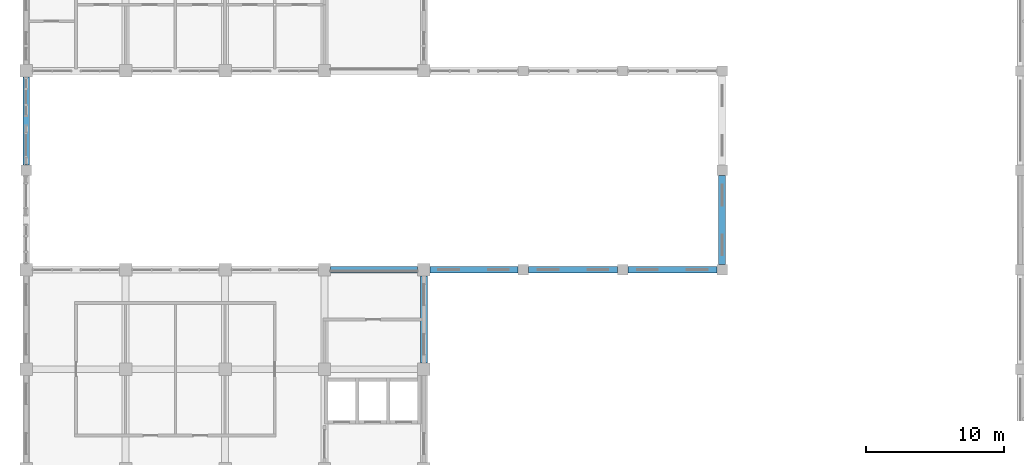
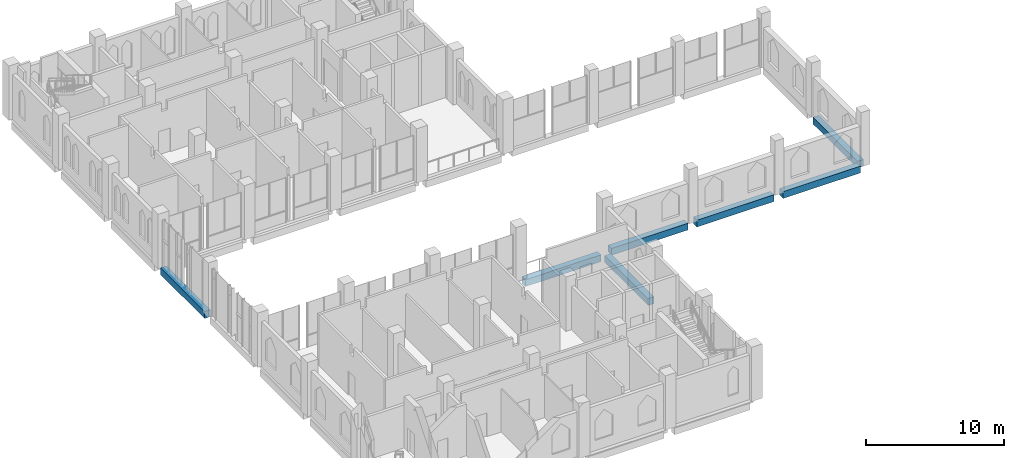
# One storey, part 6 of 39: 7 beams.
"""IFC4 building model written with IfcOpenShell, lengths in metres."""

import ifcopenshell
import ifcopenshell.guid

model = None  # the IFC model being written
_history = None  # IfcOwnerHistory: only IFC2X3 demands one
_inside = {}  # id of a spatial element -> (the spatial element, [elements in it])
_under = {}  # id of a project, library or spatial element -> (it, [spatial elements below it])
_declared = {}  # id of a project -> (the project, [libraries it declares])
_typed = {}  # id of a type object -> (the type object, [elements of that type])
_made_of = {}  # id of a material, layer set ... -> (it, [elements and type objects made of it])


def new_model(schema):
    """Start an empty IFC model of exactly this schema.

    Asked for "IFC4X3", IfcOpenShell would pick the latest addendum, in which some entities
    have other attributes; the version numbers below select the first issue.
    IFC2X3 requires an IfcOwnerHistory on every rooted entity: one is made here for all.
    """
    global model, _history
    if schema == "IFC4X3":
        model = ifcopenshell.file(schema_version=(4, 3, 0, 0))
    else:
        model = ifcopenshell.file(schema=schema)
    _inside.clear()
    _under.clear()
    _declared.clear()
    _typed.clear()
    _made_of.clear()
    _history = None
    if model.schema == "IFC2X3":
        org = make("IfcOrganization", Name="unknown")
        user = make(
            "IfcPersonAndOrganization",
            ThePerson=make("IfcPerson", FamilyName="unknown"),
            TheOrganization=org,
        )
        app = make(
            "IfcApplication",
            ApplicationDeveloper=org,
            Version="unknown",
            ApplicationFullName="unknown",
            ApplicationIdentifier="unknown",
        )
        _history = make(
            "IfcOwnerHistory",
            OwningUser=user,
            OwningApplication=app,
            ChangeAction="ADDED",
            CreationDate=0,
        )
    return model


def make(cls, **values):
    """One entity of the class cls with the attributes given. An attribute that is None is left unset."""
    return model.create_entity(
        cls, **{name: value for name, value in values.items() if value is not None}
    )


def rooted(cls, **values):
    """An entity with a GlobalId (a new one), such as an element, a storey or a relation."""
    return make(cls, GlobalId=ifcopenshell.guid.new(), OwnerHistory=_history, **values)


def si_unit(unit_type, name, prefix=None):
    """IfcSIUnit, for example si_unit("LENGTHUNIT", "METRE", prefix="MILLI")."""
    return make("IfcSIUnit", UnitType=unit_type, Prefix=prefix, Name=name)


def assignment(units):
    """IfcUnitAssignment: the units of a project."""
    return None if units is None else make("IfcUnitAssignment", Units=units)


def point(xyz):
    """IfcCartesianPoint."""
    return None if xyz is None else make("IfcCartesianPoint", Coordinates=xyz)


def direction(xyz):
    """IfcDirection."""
    return None if xyz is None else make("IfcDirection", DirectionRatios=xyz)


def frame(location, z_axis=None, x_axis=None):
    """IfcAxis2Placement3D, a coordinate frame: its origin and axes. An axis left out is left unset."""
    return make(
        "IfcAxis2Placement3D",
        Location=point(location),
        Axis=direction(z_axis),
        RefDirection=direction(x_axis),
    )


def frame_2d(location, x_axis=None):
    """IfcAxis2Placement2D, a coordinate frame in the plane: its origin and x axis."""
    return make(
        "IfcAxis2Placement2D", Location=point(location), RefDirection=direction(x_axis)
    )


def origin():
    """The frame at (0, 0, 0) with its axes left unset."""
    return frame((0.0, 0.0, 0.0))


def origin_2d():
    """The frame at (0, 0) in the plane with its x axis left unset."""
    return frame_2d((0.0, 0.0))


def place(relative_to, where):
    """IfcLocalPlacement: puts the frame where relative to a parent placement (None: the world)."""
    return make(
        "IfcLocalPlacement", PlacementRelTo=relative_to, RelativePlacement=where
    )


def context(
    kind, dimensions, precision=None, world=None, true_north=None, identifier=None
):
    """IfcGeometricRepresentationContext, for example the 3D "Model" context."""
    return make(
        "IfcGeometricRepresentationContext",
        ContextIdentifier=identifier,
        ContextType=kind,
        CoordinateSpaceDimension=dimensions,
        Precision=precision,
        WorldCoordinateSystem=world,
        TrueNorth=true_north,
    )


def subcontext(parent, identifier, kind, view, scale=None):
    """IfcGeometricRepresentationSubContext, for example "Body" below "Model"."""
    return make(
        "IfcGeometricRepresentationSubContext",
        ContextIdentifier=identifier,
        ContextType=kind,
        ParentContext=parent,
        TargetScale=scale,
        TargetView=view,
    )


def project(units=None, contexts=None):
    """IfcProject with its units and contexts."""
    return rooted(
        "IfcProject",
        Name="project",
        RepresentationContexts=contexts,
        UnitsInContext=assignment(units),
    )


def spatial(cls, under=None, at=None, **own):
    """A site, building, storey or space (cls), placed at a placement, below another one or the project."""
    s = rooted(cls, ObjectPlacement=at, **own)
    if under is not None:
        _under.setdefault(under.id(), (under, []))[1].append(s)
    return s


def profile(cls, at=None, kind="AREA", **sizes):
    """A parametric profile (cls). Its sizes go by their IFC names, for example OverallWidth=200.0."""
    return make(cls, ProfileType=kind, Position=at, **sizes)


def rectangle(**sizes):
    """IfcRectangleProfileDef."""
    return profile("IfcRectangleProfileDef", **sizes)


def extrude(swept, where, along, depth):
    """IfcExtrudedAreaSolid: the profile swept, set in the frame where, extruded along a direction by depth."""
    return make(
        "IfcExtrudedAreaSolid",
        SweptArea=swept,
        Position=where,
        ExtrudedDirection=direction(along),
        Depth=depth,
    )


def shape(context_of_items, identifier, shape_type, items):
    """IfcShapeRepresentation: the items that make up one representation, for example the "Body"."""
    return make(
        "IfcShapeRepresentation",
        ContextOfItems=context_of_items,
        RepresentationIdentifier=identifier,
        RepresentationType=shape_type,
        Items=items,
    )


def material(Name=None, Category=None):
    """IfcMaterial."""
    return make("IfcMaterial", Name=Name, Category=Category)


def material_profile(
    of_material, cross_section, Name=None, Category=None, Priority=None
):
    """IfcMaterialProfile: a cross section and its material."""
    return make(
        "IfcMaterialProfile",
        Name=Name,
        Material=of_material,
        Profile=cross_section,
        Priority=Priority,
        Category=Category,
    )


def profile_set(profiles, Name=None, composite=None):
    """IfcMaterialProfileSet."""
    return make(
        "IfcMaterialProfileSet",
        Name=Name,
        MaterialProfiles=profiles,
        CompositeProfile=composite,
    )


def made_of(thing, what):
    """Note that an element or type object is made of a material, layer set ...; save() writes the relation."""
    if what is not None:
        _made_of.setdefault(what.id(), (what, []))[1].append(thing)
    return thing


def type_object(cls, material=None, **own):
    """A type object (cls), such as IfcWallType, which elements share."""
    return made_of(rooted(cls, **own), material)


def element(
    cls,
    number,
    at=None,
    inside=None,
    cuts=None,
    type_object=None,
    material=None,
    context=None,
    identifier="Body",
    shape_type=None,
    held_by="IfcProductDefinitionShape",
    body=None,
    shapes=None,
    **own,
):
    """One element of the class cls, such as IfcWall. Its Tag is "e" and its number.

    at: its placement. inside: the storey or other place that contains it. cuts: it is an
    opening in that element (IfcRelVoidsElement). A single representation is given by context,
    identifier, shape_type and body (its items); several are given by shapes. held_by: the class
    of the entity that holds the representations. save() writes the other relations.
    """
    e = rooted(cls, Tag="e%d" % number, ObjectPlacement=at, **own)
    if body is not None:
        shapes = [shape(context, identifier, shape_type, body)]
    if shapes is not None:
        e.Representation = make(held_by, Representations=shapes)
    if inside is not None:
        _inside.setdefault(inside.id(), (inside, []))[1].append(e)
    if cuts is not None:
        rooted(
            "IfcRelVoidsElement", RelatingBuildingElement=cuts, RelatedOpeningElement=e
        )
    if type_object is not None:
        _typed.setdefault(type_object.id(), (type_object, []))[1].append(e)
    return made_of(e, material)


def aggregate(whole, parts):
    """IfcRelAggregates: a whole, such as a stair, and the parts it consists of."""
    return rooted("IfcRelAggregates", RelatingObject=whole, RelatedObjects=parts)


def save(model, path):
    """Write the relations noted so far, then the file.

    IfcRelAggregates (storeys below a building ...), IfcRelContainedInSpatialStructure (elements
    in a storey), IfcRelDefinesByType, IfcRelAssociatesMaterial and IfcRelDeclares: one each for
    every whole, place, type object, material and project.
    """
    for whole, parts in _under.values():
        aggregate(whole, parts)
    for where, things in _inside.values():
        rooted(
            "IfcRelContainedInSpatialStructure",
            RelatedElements=things,
            RelatingStructure=where,
        )
    for kind, things in _typed.values():
        rooted("IfcRelDefinesByType", RelatedObjects=things, RelatingType=kind)
    for what, things in _made_of.values():
        rooted("IfcRelAssociatesMaterial", RelatedObjects=things, RelatingMaterial=what)
    for by, libraries in _declared.values():
        rooted("IfcRelDeclares", RelatingContext=by, RelatedDefinitions=libraries)
    model.write(path)


model = new_model("IFC4")

# Units and contexts
model_context = context("Model", 3, precision=1e-05, world=origin(), true_north=direction((0.0, 1.0)))
body_context = subcontext(model_context, "Body", "Model", "MODEL_VIEW")
ifc_project = project(units=[si_unit("LENGTHUNIT", "METRE"), si_unit("AREAUNIT", "SQUARE_METRE"), si_unit("VOLUMEUNIT", "CUBIC_METRE"), si_unit("PLANEANGLEUNIT", "RADIAN"), si_unit("MASSUNIT", "GRAM", prefix="KILO")], contexts=[model_context])

# Site, building, storey
site_placement = place(None, origin())
site = spatial("IfcSite", under=ifc_project, at=site_placement, CompositionType="ELEMENT")
building_placement = place(site_placement, origin())
building = spatial("IfcBuilding", under=site, at=building_placement, Name="Silangan Lancet Faculty of Sciences", CompositionType="ELEMENT")
storey_placement = place(building_placement, frame((0.0, 0.0, 26.39990234375)))
storey = spatial("IfcBuildingStorey", under=building, at=storey_placement, Name="L05", CompositionType="ELEMENT", Elevation=26.39990234375)

# Beams
ifc_material = material(Name="Concrete C40/50", Category="concrete")
ifc_material_profile = material_profile(ifc_material, rectangle(XDim=0.5, YDim=0.60009765625, at=origin_2d()), Name="RC 500x600")
ifc_profile_set = profile_set([ifc_material_profile], Name="Concrete C40/50")
beam_type = type_object("IfcBeamType", Name="BEAM RC 500x600", PredefinedType="BEAM", material=ifc_profile_set)
beam_1_placement = place(storey_placement, frame((22.050048828125, 21.60009765625, -0.5498046875), z_axis=(1.0, 0.0, 0.0), x_axis=(0.0, 1.0, 0.0)))
element("IfcBeam", 1, at=beam_1_placement, inside=storey, type_object=beam_type, Name="BM-L05-4D-5D", PredefinedType="BEAM", context=body_context, shape_type="SweptSolid", body=[
    extrude(rectangle(XDim=0.5, YDim=0.60009765625, at=origin_2d()), origin(), (0.0, 0.0, 1.0), 6.300048828125),
])
beam_2_placement = place(storey_placement, frame((29.25, 21.60009765625, -0.2998046875), z_axis=(1.0, 0.0, 0.0), x_axis=(0.0, 1.0, 0.0)))
element("IfcBeam", 2, at=beam_2_placement, inside=storey, type_object=beam_type, Name="BM-L05-5D-6D", PredefinedType="BEAM", context=body_context, shape_type="SweptSolid", body=[
    extrude(rectangle(XDim=0.5, YDim=0.60009765625, at=origin_2d()), origin(), (0.0, 0.0, 1.0), 6.375),
])
for number, where, z_axis, x_axis, name in (
    (3, (36.375, 21.60009765625, -0.2998046875), (1.0, 0.0, 0.0), (0.0, 1.0, 0.0), "BM-L05-6D-7D"),
    (4, (43.574951171875, 21.60009765625, -0.2998046875), (1.0, 0.0, 0.0), (0.0, 1.0, 0.0), "BM-L05-7D-8D"),
):
    element("IfcBeam", number, at=place(storey_placement, frame(where, z_axis=z_axis, x_axis=x_axis)), inside=storey, type_object=beam_type, Name=name, PredefinedType="BEAM", context=body_context, shape_type="SweptSolid", body=[
        extrude(rectangle(XDim=0.5, YDim=0.60009765625, at=origin_2d()), origin(), (0.0, 0.0, 1.0), 6.449951171875),
    ])
beam_3_placement = place(storey_placement, frame((0.0, 29.175048828125, -0.2998046875), z_axis=(0.0, 1.0, 0.0), x_axis=(-1.0, 0.0, 0.0)))
element("IfcBeam", 5, at=beam_3_placement, inside=storey, type_object=beam_type, Name="BM-L05-1E-1F", PredefinedType="BEAM", context=body_context, shape_type="SweptSolid", body=[
    extrude(rectangle(XDim=0.5, YDim=0.60009765625, at=origin_2d()), origin(), (0.0, 0.0, 1.0), 6.375),
])
beam_4_placement = place(storey_placement, frame((28.800048828125, 14.85009765625, -0.5498046875), z_axis=(0.0, 1.0, 0.0), x_axis=(-1.0, 0.0, 0.0)))
element("IfcBeam", 6, at=beam_4_placement, inside=storey, type_object=beam_type, Name="BM-L05-5C-5D", PredefinedType="BEAM", context=body_context, shape_type="SweptSolid", body=[
    extrude(rectangle(XDim=0.5, YDim=0.60009765625, at=origin_2d()), origin(), (0.0, 0.0, 1.0), 6.2998046875),
])
beam_5_placement = place(storey_placement, frame((50.39990234375, 21.97509765625, -0.2998046875), z_axis=(0.0, 1.0, 0.0), x_axis=(-1.0, 0.0, 0.0)))
element("IfcBeam", 7, at=beam_5_placement, inside=storey, type_object=beam_type, Name="BM-L05-8D-8E", PredefinedType="BEAM", context=body_context, shape_type="SweptSolid", body=[
    extrude(rectangle(XDim=0.5, YDim=0.60009765625, at=origin_2d()), origin(), (0.0, 0.0, 1.0), 6.449951171875),
])

save(model, "model.ifc")
